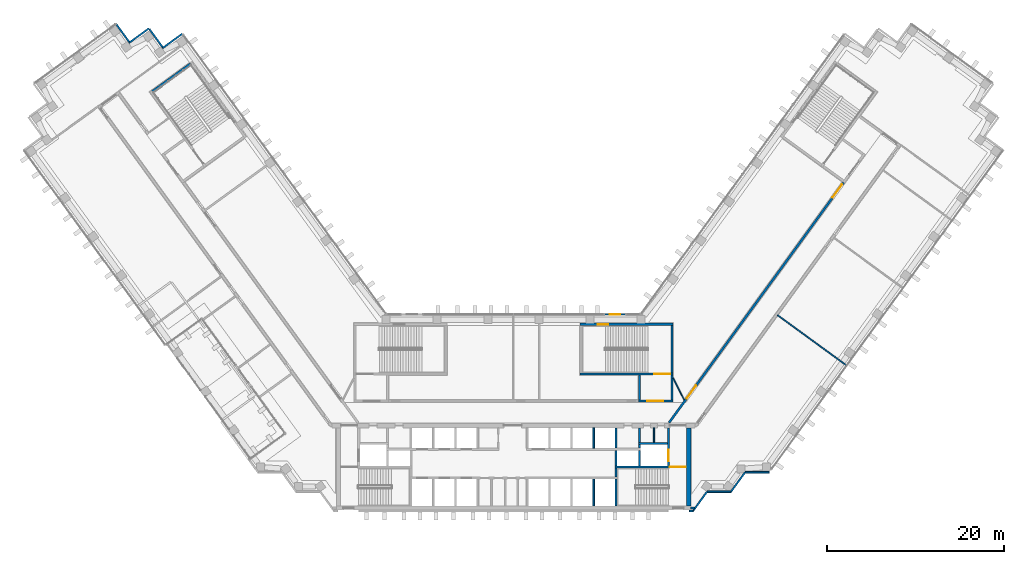
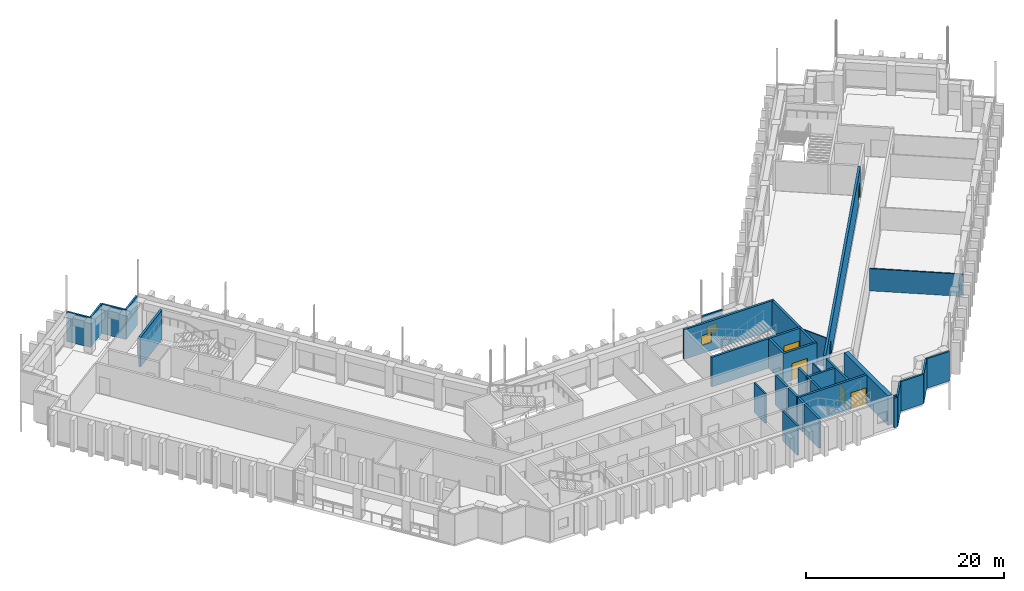
# One storey, part 13 of 18: 35 walls, 6 doors, 2 windows, 8 openings.
"""IFC4 building model written with IfcOpenShell, lengths in metres."""

from ifc_helpers import new_model, si_unit, direction, frame, frame_2d, origin, place, context, subcontext, project, spatial, rectangle, extrude, material, layer, layer_set, type_object, element, fill, save


model = new_model("IFC4")

# Units and contexts
model_context = context("Model", 3, precision=1e-05, world=origin(), true_north=direction((0.0, 1.0)))
body_context = subcontext(model_context, "Body", "Model", "MODEL_VIEW")
ifc_project = project(units=[si_unit("LENGTHUNIT", "METRE"), si_unit("AREAUNIT", "SQUARE_METRE"), si_unit("VOLUMEUNIT", "CUBIC_METRE"), si_unit("PLANEANGLEUNIT", "RADIAN"), si_unit("MASSUNIT", "GRAM", prefix="KILO")], contexts=[model_context])

# Site, building, storey
site_placement = place(None, origin())
site = spatial("IfcSite", under=ifc_project, at=site_placement, CompositionType="ELEMENT")
building_placement = place(site_placement, origin())
building = spatial("IfcBuilding", under=site, at=building_placement, Name="Quipu Civic Tower", CompositionType="ELEMENT")
storey_placement = place(building_placement, frame((0.0, 0.0, 59.0)))
storey = spatial("IfcBuildingStorey", under=building, at=storey_placement, Name="L13", CompositionType="ELEMENT", Elevation=59.0)

# Walls
ifc_material_1 = material(Name="Double gypsum plasterboard with mineral wool")
ifc_layer_1 = layer(ifc_material_1, 0.14990234375)
ifc_layer_set_1 = layer_set([ifc_layer_1], Name="Double gypsum plasterboard with mineral wool")
wall_type_1 = type_object("IfcWallType", Name="Acoustic partition 150 plasterboard", PredefinedType="PARTITIONING", material=ifc_layer_set_1)
wall_1_placement = place(storey_placement, frame((29.792724609375, 11.01220703125, 0.0), z_axis=(0.0, 0.0, 1.0), x_axis=(0.807645841498, -0.589667868135, 0.0)))
element("IfcWall", 1, at=wall_1_placement, inside=storey, type_object=wall_type_1, Name="Partition P08", PredefinedType="PARTITIONING", context=body_context, shape_type="SweptSolid", body=[
    extrude(rectangle(XDim=9.550537109375, YDim=0.14990234375, at=frame_2d((4.775390625, 0.0))), origin(), (0.0, 0.0, 1.0), 2.75),
])
ifc_material_2 = material(Name="Concrete C70/85", Category="concrete")
ifc_layer_2 = layer(ifc_material_2, 0.25)
ifc_layer_set_2 = layer_set([ifc_layer_2], Name="Concrete C70/85")
wall_type_2 = type_object("IfcWallType", Name="Core wall 250", PredefinedType="SHEAR", material=ifc_layer_set_2)
wall_2_placement = place(storey_placement, frame((11.574951171875, -10.5, 0.0), z_axis=(0.0, 0.0, 1.0), x_axis=(0.0, 1.0, 0.0)))
element("IfcWall", 2, at=wall_2_placement, inside=storey, type_object=wall_type_2, Name="Core wall", PredefinedType="SHEAR", context=body_context, shape_type="SweptSolid", body=[
    extrude(rectangle(XDim=3.0, YDim=0.25, at=frame_2d((1.5, 0.0))), origin(), (0.0, 0.0, 1.0), 3.64990234375),
])
wall_3_placement = place(storey_placement, frame((11.574951171875, -7.25, 0.0), z_axis=(0.0, 0.0, 1.0), x_axis=(0.0, 1.0, 0.0)))
element("IfcWall", 3, at=wall_3_placement, inside=storey, type_object=wall_type_2, Name="Core wall", PredefinedType="SHEAR", context=body_context, shape_type="SweptSolid", body=[
    extrude(rectangle(XDim=1.0, YDim=0.25, at=frame_2d((0.5, 0.0))), origin(), (0.0, 0.0, 1.0), 3.64990234375),
])

# Wall, opening, door
wall_4_placement = place(storey_placement, frame((19.5, -6.125, 0.0), z_axis=(0.0, 0.0, 1.0), x_axis=(-1.0, 0.0, 0.0)))
wall_4 = element("IfcWall", 4, at=wall_4_placement, inside=storey, type_object=wall_type_2, Name="Core wall", PredefinedType="SHEAR", context=body_context, shape_type="SweptSolid", body=[
    extrude(rectangle(XDim=8.050048828125, YDim=0.25, at=frame_2d((4.02490234375, 0.0))), origin(), (0.0, 0.0, 1.0), 3.64990234375),
])
opening_1_placement = place(wall_4_placement, frame((0.050048828125, 0.0, 0.0)))
opening_1 = element("IfcOpeningElement", 5, at=opening_1_placement, cuts=wall_4, Name="Opening CD-06", PredefinedType="OPENING", context=body_context, shape_type="SweptSolid", body=[
    extrude(rectangle(XDim=1.800048828125, YDim=2.10009765625, at=frame_2d((0.89990234375, 1.050048828125))), frame((0.0, 0.135009765625, 0.0), z_axis=(0.0, -1.0, 0.0), x_axis=(1.0, 0.0, 0.0)), (0.0, 0.0, 1.0), 0.27001953125),
])
ifc_material_3 = material(Name="Fire rated steel door", Category="steel")
door_type_1 = type_object("IfcDoorType", Name="Fire door FD90 double 1800 x 2100", OperationType="NOTDEFINED", PredefinedType="DOOR", material=ifc_material_3)
door_1_placement = place(opening_1_placement, origin())
door_1 = element("IfcDoor", 6, at=door_1_placement, inside=storey, type_object=door_type_1, Name="Door", OperationType="DOUBLE_DOOR_SINGLE_SWING", OverallHeight=2.10009765625, OverallWidth=1.800048828125, PredefinedType="DOOR", context=body_context, shape_type="SweptSolid", body=[
    extrude(rectangle(XDim=1.800048828125, YDim=2.10009765625, at=frame_2d((0.89990234375, 1.050048828125))), frame((0.0, 0.02490234375, 0.0), z_axis=(0.0, -1.0, 0.0), x_axis=(1.0, 0.0, 0.0)), (0.0, 0.0, 1.0), 0.050048828125),
])
fill(opening_1, door_1)

# Walls
for number, where, z_axis, x_axis, name in (
    (7, (11.574951171875, -6.0, 0.0), (0.0, 0.0, 1.0), (0.0, 1.0, 0.0), "Core wall"),
    (8, (14.22509765625, -6.0, 0.0), (0.0, 0.0, 1.0), (0.0, 1.0, 0.0), "Core wall"),
):
    element("IfcWall", number, at=place(storey_placement, frame(where, z_axis=z_axis, x_axis=x_axis)), inside=storey, type_object=wall_type_2, Name=name, PredefinedType="SHEAR", context=body_context, shape_type="SweptSolid", body=[
        extrude(rectangle(XDim=1.75, YDim=0.25, at=frame_2d((0.875, 0.0))), origin(), (0.0, 0.0, 1.0), 3.64990234375),
    ])

# Wall, opening, door
wall_5_placement = place(storey_placement, frame((17.47509765625, -6.0, 0.0), z_axis=(0.0, 0.0, 1.0), x_axis=(0.0, 1.0, 0.0)))
wall_5 = element("IfcWall", 9, at=wall_5_placement, inside=storey, type_object=wall_type_2, Name="Core wall", PredefinedType="SHEAR", context=body_context, shape_type="SweptSolid", body=[
    extrude(rectangle(XDim=4.300048828125, YDim=0.25, at=frame_2d((2.14990234375, 0.0))), origin(), (0.0, 0.0, 1.0), 3.64990234375),
])
opening_2_placement = place(wall_5_placement, frame((0.550048828125, 0.0, 0.0)))
opening_2 = element("IfcOpeningElement", 10, at=opening_2_placement, cuts=wall_5, Name="Opening LD-FF2", PredefinedType="OPENING", context=body_context, shape_type="SweptSolid", body=[
    extrude(rectangle(XDim=1.300048828125, YDim=2.10009765625, at=frame_2d((0.64990234375, 1.050048828125))), frame((0.0, 0.135009765625, 0.0), z_axis=(0.0, -1.0, 0.0), x_axis=(1.0, 0.0, 0.0)), (0.0, 0.0, 1.0), 0.27001953125),
])
ifc_material_4 = material(Name="Stainless steel", Category="steel")
door_type_2 = type_object("IfcDoorType", Name="Lift landing door 1300 x 2100", OperationType="DOUBLE_DOOR_SLIDING", PredefinedType="DOOR", material=ifc_material_4)
door_2_placement = place(opening_2_placement, origin())
door_2 = element("IfcDoor", 11, at=door_2_placement, inside=storey, type_object=door_type_2, Name="Landing door FF2", OperationType="DOUBLE_DOOR_SLIDING", OverallHeight=2.10009765625, OverallWidth=1.300048828125, PredefinedType="DOOR", context=body_context, shape_type="SweptSolid", body=[
    extrude(rectangle(XDim=1.300048828125, YDim=2.10009765625, at=frame_2d((0.64990234375, 1.050048828125))), frame((0.0, 0.02490234375, 0.0), z_axis=(0.0, -1.0, 0.0), x_axis=(1.0, 0.0, 0.0)), (0.0, 0.0, 1.0), 0.050048828125),
])
fill(opening_2, door_2)

# Walls
wall_6_placement = place(storey_placement, frame((11.574951171875, -4.0, 0.0), z_axis=(0.0, 0.0, 1.0), x_axis=(0.0, 1.0, 0.0)))
element("IfcWall", 12, at=wall_6_placement, inside=storey, type_object=wall_type_2, Name="Core wall", PredefinedType="SHEAR", context=body_context, shape_type="SweptSolid", body=[
    extrude(rectangle(XDim=2.300048828125, YDim=0.25, at=frame_2d((1.14990234375, 0.0))), origin(), (0.0, 0.0, 1.0), 3.64990234375),
])
wall_7_placement = place(storey_placement, frame((14.22509765625, -4.0, 0.0), z_axis=(0.0, 0.0, 1.0), x_axis=(0.0, 1.0, 0.0)))
element("IfcWall", 13, at=wall_7_placement, inside=storey, type_object=wall_type_2, Name="Core wall", PredefinedType="SHEAR", context=body_context, shape_type="SweptSolid", body=[
    extrude(rectangle(XDim=0.39990234375, YDim=0.25, at=frame_2d((0.199951171875, 0.0))), origin(), (0.0, 0.0, 1.0), 3.64990234375),
])
wall_8_placement = place(storey_placement, frame((14.10009765625, -3.47509765625, 0.0), z_axis=(0.0, 0.0, 1.0), x_axis=(1.0, 0.0, 0.0)))
element("IfcWall", 14, at=wall_8_placement, inside=storey, type_object=wall_type_2, Name="Core wall", PredefinedType="SHEAR", context=body_context, shape_type="SweptSolid", body=[
    extrude(rectangle(XDim=3.25, YDim=0.25, at=frame_2d((1.625, 0.0))), origin(), (0.0, 0.0, 1.0), 3.64990234375),
])
wall_9_placement = place(storey_placement, frame((14.22509765625, -3.35009765625, 0.0), z_axis=(0.0, 0.0, 1.0), x_axis=(0.0, 1.0, 0.0)))
element("IfcWall", 15, at=wall_9_placement, inside=storey, type_object=wall_type_2, Name="Core wall", PredefinedType="SHEAR", context=body_context, shape_type="SweptSolid", body=[
    extrude(rectangle(XDim=1.650146484375, YDim=0.25, at=frame_2d((0.8251953125, 0.0))), origin(), (0.0, 0.0, 1.0), 3.64990234375),
])

# Wall, opening, door
wall_10_placement = place(storey_placement, frame((14.10009765625, 1.324951171875, 0.0), z_axis=(0.0, 0.0, 1.0), x_axis=(1.0, 0.0, 0.0)))
wall_10 = element("IfcWall", 16, at=wall_10_placement, inside=storey, type_object=wall_type_2, Name="Core wall", PredefinedType="SHEAR", context=body_context, shape_type="SweptSolid", body=[
    extrude(rectangle(XDim=3.89990234375, YDim=0.25, at=frame_2d((1.949951171875, 0.0))), origin(), (0.0, 0.0, 1.0), 3.64990234375),
])
opening_3_placement = place(wall_10_placement, frame((1.0, 0.0, 0.0)))
opening_3 = element("IfcOpeningElement", 17, at=opening_3_placement, cuts=wall_10, Name="Opening CD-18", PredefinedType="OPENING", context=body_context, shape_type="SweptSolid", body=[
    extrude(rectangle(XDim=1.800048828125, YDim=2.10009765625, at=frame_2d((0.89990234375, 1.050048828125))), frame((0.0, 0.135009765625, 0.0), z_axis=(0.0, -1.0, 0.0), x_axis=(1.0, 0.0, 0.0)), (0.0, 0.0, 1.0), 0.27001953125),
])
door_3_placement = place(opening_3_placement, origin())
door_3 = element("IfcDoor", 18, at=door_3_placement, inside=storey, type_object=door_type_1, Name="Lobby door", OperationType="DOUBLE_DOOR_SINGLE_SWING", OverallHeight=2.10009765625, OverallWidth=1.800048828125, PredefinedType="DOOR", context=body_context, shape_type="SweptSolid", body=[
    extrude(rectangle(XDim=1.800048828125, YDim=2.10009765625, at=frame_2d((0.89990234375, 1.050048828125))), frame((0.0, 0.02490234375, 0.0), z_axis=(0.0, -1.0, 0.0), x_axis=(1.0, 0.0, 0.0)), (0.0, 0.0, 1.0), 0.050048828125),
])
fill(opening_3, door_3)

# Walls
for number, where, z_axis, x_axis, name in (
    (19, (14.22509765625, 1.449951171875, 0.0), (0.0, 0.0, 1.0), (0.0, 1.0, 0.0), "Core wall"),
    (20, (17.875, 1.449951171875, 0.0), (0.0, 0.0, 1.0), (0.0, 1.0, 0.0), "Core wall"),
):
    element("IfcWall", number, at=place(storey_placement, frame(where, z_axis=z_axis, x_axis=x_axis)), inside=storey, type_object=wall_type_2, Name=name, PredefinedType="SHEAR", context=body_context, shape_type="SweptSolid", body=[
        extrude(rectangle(XDim=2.800048828125, YDim=0.25, at=frame_2d((1.39990234375, 0.0))), origin(), (0.0, 0.0, 1.0), 3.64990234375),
    ])

# Wall, opening, door
wall_11_placement = place(storey_placement, frame((7.5, 4.375, 0.0), z_axis=(0.0, 0.0, 1.0), x_axis=(1.0, 0.0, 0.0)))
wall_11 = element("IfcWall", 21, at=wall_11_placement, inside=storey, type_object=wall_type_2, Name="Core wall", PredefinedType="SHEAR", context=body_context, shape_type="SweptSolid", body=[
    extrude(rectangle(XDim=10.5, YDim=0.25, at=frame_2d((5.25, 0.0))), origin(), (0.0, 0.0, 1.0), 3.64990234375),
])
opening_4_placement = place(wall_11_placement, frame((8.39990234375, 0.0, 0.0)))
opening_4 = element("IfcOpeningElement", 22, at=opening_4_placement, cuts=wall_11, Name="Opening CD-19", PredefinedType="OPENING", context=body_context, shape_type="SweptSolid", body=[
    extrude(rectangle(XDim=1.800048828125, YDim=2.10009765625, at=frame_2d((0.89990234375, 1.050048828125))), frame((0.0, 0.135009765625, 0.0), z_axis=(0.0, -1.0, 0.0), x_axis=(1.0, 0.0, 0.0)), (0.0, 0.0, 1.0), 0.27001953125),
])
door_4_placement = place(opening_4_placement, origin())
door_4 = element("IfcDoor", 23, at=door_4_placement, inside=storey, type_object=door_type_1, Name="Door", OperationType="DOUBLE_DOOR_SINGLE_SWING", OverallHeight=2.10009765625, OverallWidth=1.800048828125, PredefinedType="DOOR", context=body_context, shape_type="SweptSolid", body=[
    extrude(rectangle(XDim=1.800048828125, YDim=2.10009765625, at=frame_2d((0.89990234375, 1.050048828125))), frame((0.0, 0.02490234375, 0.0), z_axis=(0.0, -1.0, 0.0), x_axis=(1.0, 0.0, 0.0)), (0.0, 0.0, 1.0), 0.050048828125),
])
fill(opening_4, door_4)

# Wall
wall_12_placement = place(storey_placement, frame((17.875, 4.5, 0.0), z_axis=(0.0, 0.0, 1.0), x_axis=(0.0, 1.0, 0.0)))
element("IfcWall", 24, at=wall_12_placement, inside=storey, type_object=wall_type_2, Name="Core wall", PredefinedType="SHEAR", context=body_context, shape_type="SweptSolid", body=[
    extrude(rectangle(XDim=5.35009765625, YDim=0.25, at=frame_2d((2.675048828125, 0.0))), origin(), (0.0, 0.0, 1.0), 3.64990234375),
])

# Wall, opening, window
wall_13_placement = place(storey_placement, frame((7.5, 9.97509765625, 0.0), z_axis=(0.0, 0.0, 1.0), x_axis=(1.0, 0.0, 0.0)))
wall_13 = element("IfcWall", 25, at=wall_13_placement, inside=storey, type_object=wall_type_2, Name="Core wall", PredefinedType="SHEAR", context=body_context, shape_type="SweptSolid", body=[
    extrude(rectangle(XDim=10.5, YDim=0.25, at=frame_2d((5.25, 0.0))), origin(), (0.0, 0.0, 1.0), 3.64990234375),
])
opening_5_placement = place(wall_13_placement, frame((2.0, 0.0, 1.0)))
opening_5 = element("IfcOpeningElement", 26, at=opening_5_placement, cuts=wall_13, Name="Opening SV-4", PredefinedType="OPENING", context=body_context, shape_type="SweptSolid", body=[
    extrude(rectangle(XDim=1.199951171875, YDim=1.199951171875, at=frame_2d((0.60009765625, 0.60009765625))), frame((0.0, 0.135009765625, 0.0), z_axis=(0.0, -1.0, 0.0), x_axis=(1.0, 0.0, 0.0)), (0.0, 0.0, 1.0), 0.27001953125),
])
ifc_material_5 = material(Name="Aluminium louvre", Category="aluminium")
window_type_1 = type_object("IfcWindowType", Name="Stair ventilation louvre 1200 x 1200", PartitioningType="SINGLE_PANEL", PredefinedType="WINDOW", material=ifc_material_5)
window_1_placement = place(opening_5_placement, origin())
window_1 = element("IfcWindow", 27, at=window_1_placement, inside=storey, type_object=window_type_1, Name="Stair ventilation opening", OverallHeight=1.199951171875, OverallWidth=1.199951171875, PartitioningType="SINGLE_PANEL", PredefinedType="WINDOW", context=body_context, shape_type="SweptSolid", body=[
    extrude(rectangle(XDim=1.199951171875, YDim=1.199951171875, at=frame_2d((0.60009765625, 0.60009765625))), frame((0.0, 0.030029296875, 0.0), z_axis=(0.0, -1.0, 0.0), x_axis=(1.0, 0.0, 0.0)), (0.0, 0.0, 1.0), 0.06005859375),
])
fill(opening_5, window_1)

# Walls
wall_14_placement = place(storey_placement, frame((-36.43896484375, 39.384033203125, 0.0), z_axis=(0.0, 0.0, 1.0), x_axis=(-0.809020161303, -0.587780893365, 0.0)))
element("IfcWall", 28, at=wall_14_placement, inside=storey, type_object=wall_type_2, Name="Core wall", PredefinedType="SHEAR", context=body_context, shape_type="SweptSolid", body=[
    extrude(rectangle(XDim=5.349853515625, YDim=0.25, at=frame_2d((2.6748046875, 0.0))), origin(), (0.0, 0.0, 1.0), 3.64990234375),
])
ifc_material_6 = material(Name="Concrete C70/85", Category="concrete")
ifc_layer_3 = layer(ifc_material_6, 0.5)
ifc_layer_set_3 = layer_set([ifc_layer_3], Name="Concrete C70/85")
wall_type_3 = type_object("IfcWallType", Name="Core wall 500", PredefinedType="SHEAR", material=ifc_layer_set_3)
wall_15_placement = place(storey_placement, frame((19.75, -10.5, 0.0), z_axis=(0.0, 0.0, 1.0), x_axis=(0.0, 1.0, 0.0)))
element("IfcWall", 29, at=wall_15_placement, inside=storey, type_object=wall_type_3, Name="Core wall", PredefinedType="SHEAR", context=body_context, shape_type="SweptSolid", body=[
    extrude(rectangle(XDim=8.800048828125, YDim=0.5, at=frame_2d((4.39990234375, 0.0))), origin(), (0.0, 0.0, 1.0), 3.64990234375),
])

# Wall, openings, doors
ifc_material_7 = material(Name="Concrete C50/60", Category="concrete")
ifc_layer_4 = layer(ifc_material_7, 0.25)
ifc_layer_set_4 = layer_set([ifc_layer_4], Name="Concrete C50/60")
wall_type_4 = type_object("IfcWallType", Name="Corridor wall 250 concrete", PredefinedType="SOLIDWALL", material=ifc_layer_set_4)
wall_16_placement = place(storey_placement, frame((17.544921875, -1.124755859375, 0.0), z_axis=(0.0, 0.0, 1.0), x_axis=(0.587786323093, 0.809016216391, 0.0)))
wall_16 = element("IfcWall", 30, at=wall_16_placement, inside=storey, type_object=wall_type_4, Name="Corridor wall C06", PredefinedType="SOLIDWALL", context=body_context, shape_type="SweptSolid", body=[
    extrude(rectangle(XDim=33.4931640625, YDim=0.25, at=frame_2d((16.74658203125, 0.0))), origin(), (0.0, 0.0, 1.0), 3.64990234375),
])
opening_6_placement = place(wall_16_placement, frame((31.402587890625, 0.0, 0.0)))
opening_6 = element("IfcOpeningElement", 31, at=opening_6_placement, cuts=wall_16, Name="Opening D001", PredefinedType="OPENING", context=body_context, shape_type="SweptSolid", body=[
    extrude(rectangle(XDim=1.800048828125, YDim=2.10009765625, at=frame_2d((0.89990234375, 1.050048828125))), frame((0.0, 0.135009765625, 0.0), z_axis=(0.0, -1.0, 0.0), x_axis=(1.0, 0.0, 0.0)), (0.0, 0.0, 1.0), 0.27001953125),
])
opening_7_placement = place(wall_16_placement, frame((3.39208984375, 0.0, 0.0)))
opening_7 = element("IfcOpeningElement", 32, at=opening_7_placement, cuts=wall_16, Name="Opening D002", PredefinedType="OPENING", context=body_context, shape_type="SweptSolid", body=[
    extrude(rectangle(XDim=1.800048828125, YDim=2.10009765625, at=frame_2d((0.89990234375, 1.050048828125))), frame((0.0, 0.135009765625, 0.0), z_axis=(0.0, -1.0, 0.0), x_axis=(1.0, 0.0, 0.0)), (0.0, 0.0, 1.0), 0.27001953125),
])
ifc_material_8 = material(Name="Fire rated timber door set with metal frame", Category="wood")
door_type_3 = type_object("IfcDoorType", Name="Double door 1800 x 2100 FD60", OperationType="DOUBLE_DOOR_SINGLE_SWING", PredefinedType="DOOR", material=ifc_material_8)
door_5_placement = place(opening_6_placement, origin())
door_5 = element("IfcDoor", 33, at=door_5_placement, inside=storey, type_object=door_type_3, Name="Door D001", OperationType="DOUBLE_DOOR_SINGLE_SWING", OverallHeight=2.10009765625, OverallWidth=1.800048828125, PredefinedType="DOOR", context=body_context, shape_type="SweptSolid", body=[
    extrude(rectangle(XDim=1.800048828125, YDim=2.10009765625, at=frame_2d((0.89990234375, 1.050048828125))), frame((0.0, 0.02490234375, 0.0), z_axis=(0.0, -1.0, 0.0), x_axis=(1.0, 0.0, 0.0)), (0.0, 0.0, 1.0), 0.050048828125),
])
fill(opening_6, door_5)
door_6_placement = place(opening_7_placement, origin())
door_6 = element("IfcDoor", 34, at=door_6_placement, inside=storey, type_object=door_type_3, Name="Door D002", OperationType="DOUBLE_DOOR_SINGLE_SWING", OverallHeight=2.10009765625, OverallWidth=1.800048828125, PredefinedType="DOOR", context=body_context, shape_type="SweptSolid", body=[
    extrude(rectangle(XDim=1.800048828125, YDim=2.10009765625, at=frame_2d((0.89990234375, 1.050048828125))), frame((0.0, 0.02490234375, 0.0), z_axis=(0.0, -1.0, 0.0), x_axis=(1.0, 0.0, 0.0)), (0.0, 0.0, 1.0), 0.050048828125),
])
fill(opening_7, door_6)

# Walls
ifc_material_9 = material(Name="Gypsum plasterboard on light gauge framing")
ifc_layer_5 = layer(ifc_material_9, 0.1201171875)
ifc_layer_set_5 = layer_set([ifc_layer_5], Name="Gypsum plasterboard on light gauge framing")
wall_type_5 = type_object("IfcWallType", Name="Partition 120 plasterboard", PredefinedType="PARTITIONING", material=ifc_layer_set_5)
wall_17_placement = place(storey_placement, frame((18.0, 3.925048828125, 0.0), z_axis=(0.0, 0.0, 1.0), x_axis=(0.453950796792, -0.891026752736, 0.0)))
element("IfcWall", 35, at=wall_17_placement, inside=storey, type_object=wall_type_5, Name="Partition P14", PredefinedType="PARTITIONING", context=body_context, shape_type="SweptSolid", body=[
    extrude(rectangle(XDim=2.77783203125, YDim=0.1201171875, at=frame_2d((1.388916015625, 0.0))), origin(), (0.0, 0.0, 1.0), 3.64990234375),
])
ifc_material_10 = material(Name="Gypsum board partition")
ifc_layer_6 = layer(ifc_material_10, 0.14990234375)
ifc_layer_set_6 = layer_set([ifc_layer_6], Name="Gypsum board partition")
wall_type_6 = type_object("IfcWallType", Name="Partition 150", PredefinedType="PARTITIONING", material=ifc_layer_set_6)
wall_18_placement = place(storey_placement, frame((15.85009765625, -3.35009765625, 0.0), z_axis=(0.0, 0.0, 1.0), x_axis=(0.0, 1.0, 0.0)))
element("IfcWall", 36, at=wall_18_placement, inside=storey, type_object=wall_type_6, Name="Partition", PredefinedType="PARTITIONING", context=body_context, shape_type="SweptSolid", body=[
    extrude(rectangle(XDim=1.650146484375, YDim=0.14990234375, at=frame_2d((0.8251953125, 0.0))), origin(), (0.0, 0.0, 1.0), 3.64990234375),
])
ifc_material_11 = material(Name="Precast concrete C40/50", Category="concrete")
wall_type_7 = type_object("IfcWallType", Name="Precast cladding wall", PredefinedType="SOLIDWALL", material=ifc_material_11)
wall_19_placement = place(storey_placement, frame((-37.352783203125, 42.768310546875, 0.0), z_axis=(0.0, 0.0, 1.0), x_axis=(-0.809033161865, -0.587762999008, 0.0)))
element("IfcWall", 37, at=wall_19_placement, inside=storey, type_object=wall_type_7, Name="Precast cladding wall L13 P07", PredefinedType="SOLIDWALL", context=body_context, shape_type="SweptSolid", body=[
    extrude(rectangle(XDim=2.699951171875, YDim=0.199951171875, at=frame_2d((1.35009765625, 0.0))), origin(), (0.0, 0.0, 1.0), 3.64990234375),
])
wall_20_placement = place(storey_placement, frame((-39.488037109375, 41.093505859375, 0.0), z_axis=(0.0, 0.0, 1.0), x_axis=(-0.587806000234, 0.809001919707, 0.0)))
element("IfcWall", 38, at=wall_20_placement, inside=storey, type_object=wall_type_7, Name="Precast cladding wall L13 P08", PredefinedType="SOLIDWALL", context=body_context, shape_type="SweptSolid", body=[
    extrude(rectangle(XDim=2.69970703125, YDim=0.199951171875, at=frame_2d((1.349853515625, 0.0))), origin(), (0.0, 0.0, 1.0), 3.64990234375),
])
for number, where, z_axis, x_axis, name in (
    (39, (-41.1240234375, 43.36572265625, 0.0), (0.0, 0.0, 1.0), (-0.809033161865, -0.587762999008, 0.0), "Precast cladding wall L13 P09"),
    (40, (-43.25927734375, 41.690673828125, 0.0), (0.0, 0.0, 1.0), (-0.587822180636, 0.808990163075, 0.0), "Precast cladding wall L13 P10"),
):
    element("IfcWall", number, at=place(storey_placement, frame(where, z_axis=z_axis, x_axis=x_axis)), inside=storey, type_object=wall_type_7, Name=name, PredefinedType="SOLIDWALL", context=body_context, shape_type="SweptSolid", body=[
        extrude(rectangle(XDim=2.699951171875, YDim=0.199951171875, at=frame_2d((1.35009765625, 0.0))), origin(), (0.0, 0.0, 1.0), 3.64990234375),
    ])
wall_21_placement = place(storey_placement, frame((19.85009765625, -11.087890625, 0.0), z_axis=(0.0, 0.0, 1.0), x_axis=(1.0, 0.0, 0.0)))
element("IfcWall", 41, at=wall_21_placement, inside=storey, type_object=wall_type_7, Name="Precast cladding wall L13 P18", PredefinedType="SOLIDWALL", context=body_context, shape_type="SweptSolid", body=[
    extrude(rectangle(XDim=0.40576171875, YDim=0.199951171875, at=frame_2d((0.202880859375, 0.0))), origin(), (0.0, 0.0, 1.0), 3.64990234375),
])
wall_22_placement = place(storey_placement, frame((20.253173828125, -11.083251953125, 0.0), z_axis=(0.0, 0.0, 1.0), x_axis=(0.587766567315, 0.809030569476, 0.0)))
element("IfcWall", 42, at=wall_22_placement, inside=storey, type_object=wall_type_7, Name="Precast cladding wall L13 P19", PredefinedType="SOLIDWALL", context=body_context, shape_type="SweptSolid", body=[
    extrude(rectangle(XDim=2.687744140625, YDim=0.199951171875, at=frame_2d((1.34375, 0.0))), origin(), (0.0, 0.0, 1.0), 3.64990234375),
])
wall_23_placement = place(storey_placement, frame((21.8427734375, -8.90380859375, 0.0), z_axis=(0.0, 0.0, 1.0), x_axis=(1.0, 0.0, 0.0)))
element("IfcWall", 43, at=wall_23_placement, inside=storey, type_object=wall_type_7, Name="Precast cladding wall L13 P20", PredefinedType="SOLIDWALL", context=body_context, shape_type="SweptSolid", body=[
    extrude(rectangle(XDim=2.699951171875, YDim=0.199951171875, at=frame_2d((1.35009765625, 0.0))), origin(), (0.0, 0.0, 1.0), 3.64990234375),
])
wall_24_placement = place(storey_placement, frame((24.533203125, -8.90869140625, 0.0), z_axis=(0.0, 0.0, 1.0), x_axis=(0.587720002413, 0.809064397168, 0.0)))
element("IfcWall", 44, at=wall_24_placement, inside=storey, type_object=wall_type_7, Name="Precast cladding wall L13 P21", PredefinedType="SOLIDWALL", context=body_context, shape_type="SweptSolid", body=[
    extrude(rectangle(XDim=2.7001953125, YDim=0.199951171875, at=frame_2d((1.35009765625, 0.0))), origin(), (0.0, 0.0, 1.0), 3.64990234375),
])
wall_25_placement = place(storey_placement, frame((26.1298828125, -6.71923828125, 0.0), z_axis=(0.0, 0.0, 1.0), x_axis=(1.0, 0.0, 0.0)))
element("IfcWall", 45, at=wall_25_placement, inside=storey, type_object=wall_type_7, Name="Precast cladding wall L13 P22", PredefinedType="SOLIDWALL", context=body_context, shape_type="SweptSolid", body=[
    extrude(rectangle(XDim=2.699951171875, YDim=0.199951171875, at=frame_2d((1.35009765625, 0.0))), origin(), (0.0, 0.0, 1.0), 3.64990234375),
])

# Wall, opening, window
wall_26_placement = place(storey_placement, frame((12.655029296875, 11.10009765625, 0.0), z_axis=(0.0, 0.0, 1.0), x_axis=(-1.0, 0.0, 0.0)))
wall_26 = element("IfcWall", 46, at=wall_26_placement, inside=storey, type_object=wall_type_7, Name="Vent surround SF-L12-2", PredefinedType="SOLIDWALL", context=body_context, shape_type="SweptSolid", body=[
    extrude(rectangle(XDim=2.3916015625, YDim=0.199951171875, at=frame_2d((1.19580078125, 0.0))), origin(), (0.0, 0.0, 1.0), 3.64990234375),
])
opening_8_placement = place(wall_26_placement, frame((0.595703125, 0.0, 1.0)))
opening_8 = element("IfcOpeningElement", 47, at=opening_8_placement, cuts=wall_26, Name="Opening SF-L12-2", PredefinedType="OPENING", context=body_context, shape_type="SweptSolid", body=[
    extrude(rectangle(XDim=1.199951171875, YDim=1.199951171875, at=frame_2d((0.60009765625, 0.60009765625))), frame((0.0, 0.10986328125, 0.0), z_axis=(0.0, -1.0, 0.0), x_axis=(1.0, 0.0, 0.0)), (0.0, 0.0, 1.0), 0.219970703125),
])
ifc_material_12 = material(Name="Anodised aluminium louvre", Category="aluminium")
window_type_2 = type_object("IfcWindowType", Name="Stair vent louvre window P3", PartitioningType="SINGLE_PANEL", PredefinedType="WINDOW", material=ifc_material_12)
window_2_placement = place(opening_8_placement, origin())
window_2 = element("IfcWindow", 48, at=window_2_placement, inside=storey, type_object=window_type_2, Name="Stair vent louvre SF-L12-2", OverallHeight=1.199951171875, OverallWidth=1.199951171875, PartitioningType="SINGLE_PANEL", PredefinedType="WINDOW", context=body_context, shape_type="SweptSolid", body=[
    extrude(rectangle(XDim=1.199951171875, YDim=1.199951171875, at=frame_2d((0.60009765625, 0.60009765625))), frame((0.0, 0.030029296875, 0.0), z_axis=(0.0, -1.0, 0.0), x_axis=(1.0, 0.0, 0.0)), (0.0, 0.0, 1.0), 0.06005859375),
])
fill(opening_8, window_2)

# Walls
wall_27_placement = place(storey_placement, frame((19.97998046875, -10.75, 0.0), z_axis=(0.0, 0.0, 1.0), x_axis=(1.0, 0.0, 0.0)))
element("IfcWall", 49, at=wall_27_placement, inside=storey, type_object=wall_type_7, Name="Precast cladding return L13 E", PredefinedType="SOLIDWALL", context=body_context, shape_type="SweptSolid", body=[
    extrude(rectangle(XDim=0.41650390625, YDim=0.199951171875, at=frame_2d((0.208251953125, 0.0))), origin(), (0.0, 0.0, 1.0), 3.64990234375),
])
ifc_material_13 = material(Name="Concrete C40/50", Category="concrete")
ifc_layer_7 = layer(ifc_material_13, 0.199951171875)
ifc_layer_set_7 = layer_set([ifc_layer_7], Name="Concrete C40/50")
wall_type_8 = type_object("IfcWallType", Name="Shaft wall 200", PredefinedType="SOLIDWALL", material=ifc_layer_set_7)
wall_28_placement = place(storey_placement, frame((9.050048828125, -10.5, 0.0), z_axis=(0.0, 0.0, 1.0), x_axis=(0.0, 1.0, 0.0)))
element("IfcWall", 50, at=wall_28_placement, inside=storey, type_object=wall_type_8, Name="Shaft wall", PredefinedType="SOLIDWALL", context=body_context, shape_type="SweptSolid", body=[
    extrude(rectangle(XDim=3.0, YDim=0.199951171875, at=frame_2d((1.5, 0.0))), origin(), (0.0, 0.0, 1.0), 3.64990234375),
])
wall_29_placement = place(storey_placement, frame((9.050048828125, -4.0, 0.0), z_axis=(0.0, 0.0, 1.0), x_axis=(0.0, 1.0, 0.0)))
element("IfcWall", 51, at=wall_29_placement, inside=storey, type_object=wall_type_8, Name="Shaft wall", PredefinedType="SOLIDWALL", context=body_context, shape_type="SweptSolid", body=[
    extrude(rectangle(XDim=2.300048828125, YDim=0.199951171875, at=frame_2d((1.14990234375, 0.0))), origin(), (0.0, 0.0, 1.0), 3.64990234375),
])

save(model, "model.ifc")
